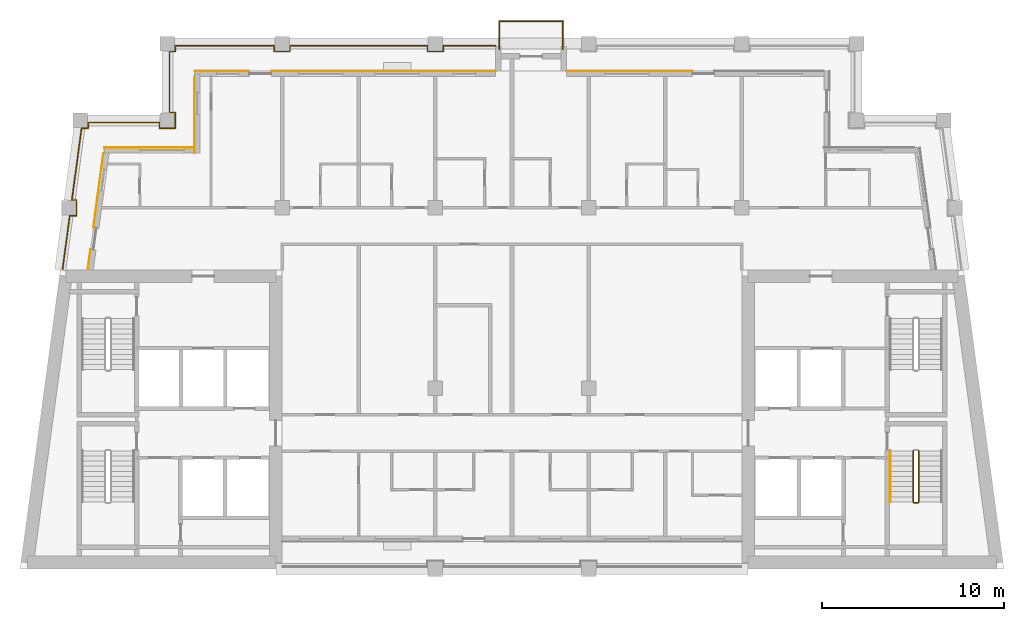
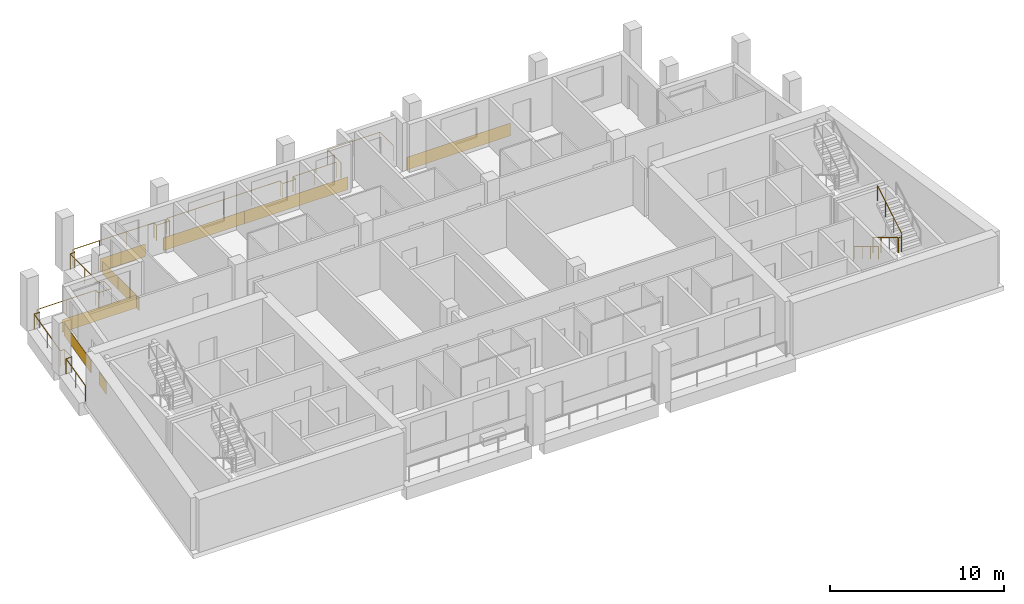
# One storey, part 8 of 10: 9 coverings, 5 railings.
"""IFC4 building model written with IfcOpenShell, lengths in metres."""

from ifc_helpers import new_model, si_unit, direction, frame, origin, origin_2d, place, context, subcontext, project, spatial, rectangle, circle, extrude, material, layer, layer_set, type_object, element, save


model = new_model("IFC4")

# Units and contexts
model_context = context("Model", 3, precision=1e-05, world=origin(), true_north=direction((0.0, 1.0)))
body_context = subcontext(model_context, "Body", "Model", "MODEL_VIEW")
ifc_project = project(units=[si_unit("LENGTHUNIT", "METRE"), si_unit("AREAUNIT", "SQUARE_METRE"), si_unit("VOLUMEUNIT", "CUBIC_METRE"), si_unit("PLANEANGLEUNIT", "RADIAN"), si_unit("MASSUNIT", "GRAM", prefix="KILO")], contexts=[model_context])

# Site, building, storey
site_placement = place(None, origin())
site = spatial("IfcSite", under=ifc_project, at=site_placement, CompositionType="ELEMENT")
building_placement = place(site_placement, origin())
building = spatial("IfcBuilding", under=site, at=building_placement, Name="Candeia Pilgrim Tower and Theatre", CompositionType="ELEMENT")
storey_placement = place(building_placement, frame((0.0, 0.0, 292.300048828125)))
storey = spatial("IfcBuildingStorey", under=building, at=storey_placement, Name="L71", CompositionType="ELEMENT", Elevation=292.300048828125)

# Railings
ifc_material_1 = material(Name="Stainless steel balustrade", Category="steel")
railing_type_1 = type_object("IfcRailingType", Name="G1 loggia guard 1100", PredefinedType="GUARDRAIL", material=ifc_material_1)
railing_1_placement = place(storey_placement, frame((94.070068359375, 140.47998046875, 0.0)))
element("IfcRailing", 1, at=railing_1_placement, inside=storey, type_object=railing_type_1, Name="Guard L71.1", PredefinedType="GUARDRAIL", context=body_context, shape_type="SweptSolid", body=[
    extrude(circle(Radius=0.02392578125, at=origin_2d()), frame((0.0, 0.0, 1.076171875), z_axis=(0.0, -1.0, 0.0), x_axis=(1.0, 0.0, 0.0)), (0.0, 0.0, 1.0), 0.31005859375),
    extrude(circle(Radius=0.02392578125, at=origin_2d()), frame((0.0, -0.31005859375, 1.076171875), z_axis=(1.0, 0.0, 0.0), x_axis=(0.0, 1.0, 0.0)), (0.0, 0.0, 1.0), 0.85986328125),
    extrude(circle(Radius=0.02392578125, at=origin_2d()), frame((0.85986328125, -0.31005859375, 1.076171875), z_axis=(0.0, 1.0, 0.0), x_axis=(-1.0, 0.0, 0.0)), (0.0, 0.0, 1.0), 0.860107421875),
    extrude(circle(Radius=0.02392578125, at=origin_2d()), frame((0.85986328125, 0.550048828125, 1.076171875), z_axis=(-1.0, 0.0, 0.0), x_axis=(0.0, -1.0, 0.0)), (0.0, 0.0, 1.0), 0.309814453125),
    extrude(circle(Radius=0.02392578125, at=origin_2d()), frame((0.550048828125, 0.550048828125, 1.076171875), z_axis=(0.0, 1.0, 0.0), x_axis=(-1.0, 0.0, 0.0)), (0.0, 0.0, 1.0), 3.340087890625),
    extrude(circle(Radius=0.02392578125, at=origin_2d()), frame((0.550048828125, 3.89013671875, 1.076171875), z_axis=(1.0, 0.0, 0.0), x_axis=(0.0, 1.0, 0.0)), (0.0, 0.0, 1.0), 0.309814453125),
    extrude(circle(Radius=0.02392578125, at=origin_2d()), frame((0.85986328125, 3.89013671875, 1.076171875), z_axis=(0.0, 1.0, 0.0), x_axis=(-1.0, 0.0, 0.0)), (0.0, 0.0, 1.0), 0.309814453125),
    extrude(circle(Radius=0.02392578125, at=origin_2d()), frame((0.85986328125, 4.199951171875, 1.076171875), z_axis=(1.0, 0.0, 0.0), x_axis=(0.0, 1.0, 0.0)), (0.0, 0.0, 1.0), 5.440185546875),
    extrude(circle(Radius=0.02392578125, at=origin_2d()), frame((6.300048828125, 4.199951171875, 1.076171875), z_axis=(0.0, -1.0, 0.0), x_axis=(1.0, 0.0, 0.0)), (0.0, 0.0, 1.0), 0.309814453125),
    extrude(circle(Radius=0.02392578125, at=origin_2d()), frame((6.300048828125, 3.89013671875, 1.076171875), z_axis=(1.0, 0.0, 0.0), x_axis=(0.0, 1.0, 0.0)), (0.0, 0.0, 1.0), 0.85986328125),
    extrude(circle(Radius=0.02392578125, at=origin_2d()), frame((7.159912109375, 3.89013671875, 1.076171875), z_axis=(0.0, 1.0, 0.0), x_axis=(-1.0, 0.0, 0.0)), (0.0, 0.0, 1.0), 0.309814453125),
    extrude(circle(Radius=0.02392578125, at=origin_2d()), frame((7.159912109375, 4.199951171875, 1.076171875), z_axis=(1.0, 0.0, 0.0), x_axis=(0.0, 1.0, 0.0)), (0.0, 0.0, 1.0), 7.5400390625),
    extrude(circle(Radius=0.02392578125, at=origin_2d()), frame((14.699951171875, 4.199951171875, 1.076171875), z_axis=(0.0, -1.0, 0.0), x_axis=(1.0, 0.0, 0.0)), (0.0, 0.0, 1.0), 0.309814453125),
    extrude(circle(Radius=0.02392578125, at=origin_2d()), frame((14.699951171875, 3.89013671875, 1.076171875), z_axis=(1.0, 0.0, 0.0), x_axis=(0.0, 1.0, 0.0)), (0.0, 0.0, 1.0), 0.85986328125),
    extrude(circle(Radius=0.02392578125, at=origin_2d()), frame((15.559814453125, 3.89013671875, 1.076171875), z_axis=(0.0, 1.0, 0.0), x_axis=(-1.0, 0.0, 0.0)), (0.0, 0.0, 1.0), 0.309814453125),
    extrude(circle(Radius=0.02392578125, at=origin_2d()), frame((15.559814453125, 4.199951171875, 1.076171875), z_axis=(1.0, 0.0, 0.0), x_axis=(0.0, 1.0, 0.0)), (0.0, 0.0, 1.0), 2.8701171875),
    extrude(circle(Radius=0.02099609375, at=origin_2d()), origin(), (0.0, 0.0, 1.0), 1.052001953125),
    extrude(circle(Radius=0.02099609375, at=origin_2d()), frame((0.0, -0.31005859375, 0.0)), (0.0, 0.0, 1.0), 1.052001953125),
    extrude(circle(Radius=0.02099609375, at=origin_2d()), frame((0.85986328125, -0.31005859375, 0.0)), (0.0, 0.0, 1.0), 1.052001953125),
    extrude(circle(Radius=0.02099609375, at=origin_2d()), frame((0.85986328125, 0.550048828125, 0.0)), (0.0, 0.0, 1.0), 1.052001953125),
    extrude(circle(Radius=0.02099609375, at=origin_2d()), frame((0.550048828125, 0.550048828125, 0.0)), (0.0, 0.0, 1.0), 1.052001953125),
    extrude(circle(Radius=0.02099609375, at=origin_2d()), frame((0.550048828125, 2.22021484375, 0.0)), (0.0, 0.0, 1.0), 1.052001953125),
    extrude(circle(Radius=0.02099609375, at=origin_2d()), frame((0.550048828125, 3.89013671875, 0.0)), (0.0, 0.0, 1.0), 1.052001953125),
    extrude(circle(Radius=0.02099609375, at=origin_2d()), frame((0.85986328125, 3.89013671875, 0.0)), (0.0, 0.0, 1.0), 1.052001953125),
    extrude(circle(Radius=0.02099609375, at=origin_2d()), frame((0.85986328125, 4.199951171875, 0.0)), (0.0, 0.0, 1.0), 1.052001953125),
    extrude(circle(Radius=0.02099609375, at=origin_2d()), frame((2.67333984375, 4.199951171875, 0.0)), (0.0, 0.0, 1.0), 1.052001953125),
    extrude(circle(Radius=0.02099609375, at=origin_2d()), frame((4.486572265625, 4.199951171875, 0.0)), (0.0, 0.0, 1.0), 1.052001953125),
    extrude(circle(Radius=0.02099609375, at=origin_2d()), frame((6.300048828125, 4.199951171875, 0.0)), (0.0, 0.0, 1.0), 1.052001953125),
    extrude(circle(Radius=0.02099609375, at=origin_2d()), frame((6.300048828125, 3.89013671875, 0.0)), (0.0, 0.0, 1.0), 1.052001953125),
    extrude(circle(Radius=0.02099609375, at=origin_2d()), frame((7.159912109375, 3.89013671875, 0.0)), (0.0, 0.0, 1.0), 1.052001953125),
    extrude(circle(Radius=0.02099609375, at=origin_2d()), frame((7.159912109375, 4.199951171875, 0.0)), (0.0, 0.0, 1.0), 1.052001953125),
    extrude(circle(Radius=0.02099609375, at=origin_2d()), frame((9.044921875, 4.199951171875, 0.0)), (0.0, 0.0, 1.0), 1.052001953125),
    extrude(circle(Radius=0.02099609375, at=origin_2d()), frame((10.929931640625, 4.199951171875, 0.0)), (0.0, 0.0, 1.0), 1.052001953125),
    extrude(circle(Radius=0.02099609375, at=origin_2d()), frame((12.81494140625, 4.199951171875, 0.0)), (0.0, 0.0, 1.0), 1.052001953125),
    extrude(circle(Radius=0.02099609375, at=origin_2d()), frame((14.699951171875, 4.199951171875, 0.0)), (0.0, 0.0, 1.0), 1.052001953125),
    extrude(circle(Radius=0.02099609375, at=origin_2d()), frame((14.699951171875, 3.89013671875, 0.0)), (0.0, 0.0, 1.0), 1.052001953125),
    extrude(circle(Radius=0.02099609375, at=origin_2d()), frame((15.559814453125, 3.89013671875, 0.0)), (0.0, 0.0, 1.0), 1.052001953125),
    extrude(circle(Radius=0.02099609375, at=origin_2d()), frame((15.559814453125, 4.199951171875, 0.0)), (0.0, 0.0, 1.0), 1.052001953125),
    extrude(circle(Radius=0.02099609375, at=origin_2d()), frame((16.994873046875, 4.199951171875, 0.0)), (0.0, 0.0, 1.0), 1.052001953125),
    extrude(circle(Radius=0.02099609375, at=origin_2d()), frame((18.429931640625, 4.199951171875, 0.0)), (0.0, 0.0, 1.0), 1.052001953125),
])
railing_2_placement = place(storey_placement, frame((88.758544921875, 132.449951171875, 0.0)))
element("IfcRailing", 2, at=railing_2_placement, inside=storey, type_object=railing_type_1, Name="Guard L71.4", PredefinedType="GUARDRAIL", context=body_context, shape_type="SweptSolid", body=[
    extrude(circle(Radius=0.02392578125, at=origin_2d()), frame((0.0, 0.0, 1.076171875), z_axis=(0.133401056725, 0.991062136329, 0.0), x_axis=(-0.991062136329, 0.133401056725, 0.0)), (0.0, 0.0, 1.0), 2.946533203125),
    extrude(circle(Radius=0.02392578125, at=origin_2d()), frame((0.39306640625, 2.920166015625, 1.076171875), z_axis=(1.0, 0.0, 0.0), x_axis=(0.0, 1.0, 0.0)), (0.0, 0.0, 1.0), 0.366943359375),
    extrude(circle(Radius=0.02392578125, at=origin_2d()), frame((0.760009765625, 2.920166015625, 1.076171875), z_axis=(0.0, 1.0, 0.0), x_axis=(-1.0, 0.0, 0.0)), (0.0, 0.0, 1.0), 0.85986328125),
    extrude(circle(Radius=0.02392578125, at=origin_2d()), frame((0.760009765625, 3.780029296875, 1.076171875), z_axis=(-1.0, 0.0, 0.0), x_axis=(0.0, -1.0, 0.0)), (0.0, 0.0, 1.0), 0.251220703125),
    extrude(circle(Radius=0.02392578125, at=origin_2d()), frame((0.5087890625, 3.780029296875, 1.076171875), z_axis=(0.133446811067, 0.99105597653, 0.0), x_axis=(-0.99105597653, 0.133446811067, 0.0)), (0.0, 0.0, 1.0), 3.9755859375),
    extrude(circle(Radius=0.02392578125, at=origin_2d()), frame((1.039306640625, 7.719970703125, 1.076171875), z_axis=(1.0, 0.0, 0.0), x_axis=(0.0, 1.0, 0.0)), (0.0, 0.0, 1.0), 0.36669921875),
    extrude(circle(Radius=0.02392578125, at=origin_2d()), frame((1.406005859375, 7.719970703125, 1.076171875), z_axis=(0.0, 1.0, 0.0), x_axis=(-1.0, 0.0, 0.0)), (0.0, 0.0, 1.0), 0.31005859375),
    extrude(circle(Radius=0.02392578125, at=origin_2d()), frame((1.406005859375, 8.030029296875, 1.076171875), z_axis=(1.0, 0.0, 0.0), x_axis=(0.0, 1.0, 0.0)), (0.0, 0.0, 1.0), 3.905517578125),
    extrude(circle(Radius=0.02099609375, at=origin_2d()), origin(), (0.0, 0.0, 1.0), 1.052001953125),
    extrude(circle(Radius=0.02099609375, at=origin_2d()), frame((0.196533203125, 1.4599609375, 0.0)), (0.0, 0.0, 1.0), 1.052001953125),
    extrude(circle(Radius=0.02099609375, at=origin_2d()), frame((0.39306640625, 2.920166015625, 0.0)), (0.0, 0.0, 1.0), 1.052001953125),
    extrude(circle(Radius=0.02099609375, at=origin_2d()), frame((0.760009765625, 2.920166015625, 0.0)), (0.0, 0.0, 1.0), 1.052001953125),
    extrude(circle(Radius=0.02099609375, at=origin_2d()), frame((0.760009765625, 3.780029296875, 0.0)), (0.0, 0.0, 1.0), 1.052001953125),
    extrude(circle(Radius=0.02099609375, at=origin_2d()), frame((0.5087890625, 3.780029296875, 0.0)), (0.0, 0.0, 1.0), 1.052001953125),
    extrude(circle(Radius=0.02099609375, at=origin_2d()), frame((0.77392578125, 5.75, 0.0)), (0.0, 0.0, 1.0), 1.052001953125),
    extrude(circle(Radius=0.02099609375, at=origin_2d()), frame((1.039306640625, 7.719970703125, 0.0)), (0.0, 0.0, 1.0), 1.052001953125),
    extrude(circle(Radius=0.02099609375, at=origin_2d()), frame((1.406005859375, 7.719970703125, 0.0)), (0.0, 0.0, 1.0), 1.052001953125),
    extrude(circle(Radius=0.02099609375, at=origin_2d()), frame((1.406005859375, 8.030029296875, 0.0)), (0.0, 0.0, 1.0), 1.052001953125),
    extrude(circle(Radius=0.02099609375, at=origin_2d()), frame((3.35888671875, 8.030029296875, 0.0)), (0.0, 0.0, 1.0), 1.052001953125),
    extrude(circle(Radius=0.02099609375, at=origin_2d()), frame((5.3115234375, 8.030029296875, 0.0)), (0.0, 0.0, 1.0), 1.052001953125),
])
railing_3_placement = place(storey_placement, frame((112.7099609375, 144.5, 0.0)))
element("IfcRailing", 3, at=railing_3_placement, inside=storey, type_object=railing_type_1, Name="Balcony guard L71", PredefinedType="GUARDRAIL", context=body_context, shape_type="SweptSolid", body=[
    extrude(circle(Radius=0.02392578125, at=origin_2d()), frame((0.0, 0.0, 1.076171875), z_axis=(0.0, 1.0, 0.0), x_axis=(-1.0, 0.0, 0.0)), (0.0, 0.0, 1.0), 1.5400390625),
    extrude(circle(Radius=0.02392578125, at=origin_2d()), frame((0.0, 1.5400390625, 1.076171875), z_axis=(1.0, 0.0, 0.0), x_axis=(0.0, 1.0, 0.0)), (0.0, 0.0, 1.0), 3.47998046875),
    extrude(circle(Radius=0.02392578125, at=origin_2d()), frame((3.47998046875, 1.5400390625, 1.076171875), z_axis=(0.0, -1.0, 0.0), x_axis=(1.0, 0.0, 0.0)), (0.0, 0.0, 1.0), 1.5400390625),
    extrude(circle(Radius=0.02099609375, at=origin_2d()), origin(), (0.0, 0.0, 1.0), 1.052001953125),
    extrude(circle(Radius=0.02099609375, at=origin_2d()), frame((0.0, 1.5400390625, 0.0)), (0.0, 0.0, 1.0), 1.052001953125),
    extrude(circle(Radius=0.02099609375, at=origin_2d()), frame((1.739990234375, 1.5400390625, 0.0)), (0.0, 0.0, 1.0), 1.052001953125),
    extrude(circle(Radius=0.02099609375, at=origin_2d()), frame((3.47998046875, 1.5400390625, 0.0)), (0.0, 0.0, 1.0), 1.052001953125),
    extrude(circle(Radius=0.02099609375, at=origin_2d()), frame((3.47998046875, 0.0, 0.0)), (0.0, 0.0, 1.0), 1.052001953125),
])

# Coverings
ifc_material_2 = material(Name="Glazed ceramic tile bottle green")
ifc_layer_1 = layer(ifc_material_2, 0.02001953125)
ifc_layer_set_1 = layer_set([ifc_layer_1], Name="Glazed ceramic tile bottle green")
covering_type_1 = type_object("IfcCoveringType", Name="Glazed ceramic tile bottle green", PredefinedType="CLADDING", material=ifc_layer_set_1)
covering_1_placement = place(storey_placement, frame((102.89990234375, 143.31005859375, 0.0), z_axis=(0.0, 0.0, 1.0), x_axis=(-1.0, 0.0, 0.0)))
element("IfcCovering", 4, at=covering_1_placement, inside=storey, type_object=covering_type_1, Name="Tile cladding bottle green L71", PredefinedType="CLADDING", context=body_context, shape_type="SweptSolid", body=[
    extrude(rectangle(XDim=5.39990234375, YDim=0.02001953125, at=origin_2d()), origin(), (0.0, 0.0, 1.0), 0.89990234375),
])
covering_2_placement = place(storey_placement, frame((97.5, 143.31005859375, 0.0), z_axis=(0.0, 0.0, 1.0), x_axis=(-1.0, 0.0, 0.0)))
element("IfcCovering", 5, at=covering_2_placement, inside=storey, type_object=covering_type_1, Name="Tile cladding bottle green L71", PredefinedType="CLADDING", context=body_context, shape_type="SweptSolid", body=[
    extrude(rectangle(XDim=3.0, YDim=0.02001953125, at=origin_2d()), origin(), (0.0, 0.0, 1.0), 0.89990234375),
])
covering_3_placement = place(storey_placement, frame((95.989990234375, 142.090087890625, 0.0), z_axis=(0.0, 0.0, 1.0), x_axis=(0.0, -1.0, 0.0)))
element("IfcCovering", 6, at=covering_3_placement, inside=storey, type_object=covering_type_1, Name="Tile cladding bottle green L71", PredefinedType="CLADDING", context=body_context, shape_type="SweptSolid", body=[
    extrude(rectangle(XDim=1.780029296875, YDim=0.02001953125, at=origin_2d()), origin(), (0.0, 0.0, 1.0), 0.89990234375),
])
covering_4_placement = place(storey_placement, frame((93.51318359375, 139.110107421875, 0.0), z_axis=(0.0, 0.0, 1.0), x_axis=(-1.0, 0.0, 0.0)))
element("IfcCovering", 7, at=covering_4_placement, inside=storey, type_object=covering_type_1, Name="Tile cladding bottle green L71", PredefinedType="CLADDING", context=body_context, shape_type="SweptSolid", body=[
    extrude(rectangle(XDim=4.933837890625, YDim=0.02001953125, at=origin_2d()), origin(), (0.0, 0.0, 1.0), 0.89990234375),
])
ifc_material_3 = material(Name="Glazed ceramic tile rust")
ifc_layer_2 = layer(ifc_material_3, 0.02001953125)
ifc_layer_set_2 = layer_set([ifc_layer_2], Name="Glazed ceramic tile rust")
covering_type_2 = type_object("IfcCoveringType", Name="Glazed ceramic tile rust", PredefinedType="CLADDING", material=ifc_layer_set_2)
covering_5_placement = place(storey_placement, frame((90.720947265625, 136.759521484375, 0.0), z_axis=(0.0, 0.0, 1.0), x_axis=(-0.133412012145, -0.991060661622, 0.0)))
element("IfcCovering", 8, at=covering_5_placement, inside=storey, type_object=covering_type_2, Name="Tile cladding rust L71", PredefinedType="CLADDING", context=body_context, shape_type="SweptSolid", body=[
    extrude(rectangle(XDim=4.123779296875, YDim=0.02001953125, at=origin_2d()), origin(), (0.0, 0.0, 1.0), 0.89990234375),
])
covering_6_placement = place(storey_placement, frame((90.21142578125, 132.97412109375, 0.0), z_axis=(0.0, 0.0, 1.0), x_axis=(-0.133412012145, -0.991060661622, 0.0)))
element("IfcCovering", 9, at=covering_6_placement, inside=storey, type_object=covering_type_2, Name="Tile cladding rust L71", PredefinedType="CLADDING", context=body_context, shape_type="SweptSolid", body=[
    extrude(rectangle(XDim=1.115234375, YDim=0.02001953125, at=origin_2d()), origin(), (0.0, 0.0, 1.0), 0.89990234375),
])
for number, where, z_axis, x_axis, name in (
    (10, (119.85009765625, 143.31005859375, 0.0), (0.0, 0.0, 1.0), (-1.0, 0.0, 0.0), "Tile cladding rust L71"),
    (11, (109.050048828125, 143.31005859375, 0.0), (0.0, 0.0, 1.0), (-1.0, 0.0, 0.0), "Tile cladding rust L71"),
):
    element("IfcCovering", number, at=place(storey_placement, frame(where, z_axis=z_axis, x_axis=x_axis)), inside=storey, type_object=covering_type_2, Name=name, PredefinedType="CLADDING", context=body_context, shape_type="SweptSolid", body=[
        extrude(rectangle(XDim=6.89990234375, YDim=0.02001953125, at=origin_2d()), origin(), (0.0, 0.0, 1.0), 0.89990234375),
    ])
covering_7_placement = place(storey_placement, frame((95.989990234375, 140.0, 0.0), z_axis=(0.0, 0.0, 1.0), x_axis=(0.0, -1.0, 0.0)))
element("IfcCovering", 12, at=covering_7_placement, inside=storey, type_object=covering_type_2, Name="Tile cladding rust L71", PredefinedType="CLADDING", context=body_context, shape_type="SweptSolid", body=[
    extrude(rectangle(XDim=2.39990234375, YDim=0.02001953125, at=origin_2d()), origin(), (0.0, 0.0, 1.0), 0.89990234375),
])

# Railings
railing_type_2 = type_object("IfcRailingType", Name="RL-GUARD-1100", PredefinedType="GUARDRAIL", material=ifc_material_1)
railing_4_placement = place(storey_placement, frame((135.39794921875, 122.47509765625, 0.168212890625)))
element("IfcRailing", 13, at=railing_4_placement, inside=storey, type_object=railing_type_2, Name="L71 ST3 stair guard 1", PredefinedType="GUARDRAIL", context=body_context, shape_type="SweptSolid", body=[
    extrude(circle(Radius=0.02392578125, at=origin_2d()), frame((0.0, 0.0, 1.076171875), z_axis=(0.0, -0.857275202839, 0.514858452973), x_axis=(1.0, 0.0, 0.0)), (0.0, 0.0, 1.0), 3.26611328125),
    extrude(circle(Radius=0.02392578125, at=origin_2d()), frame((0.0, -2.800048828125, 2.7578125), z_axis=(0.707106781187, -0.707106781187, 0.0), x_axis=(0.707106781187, 0.707106781187, 0.0)), (0.0, 0.0, 1.0), 0.07080078125),
    extrude(circle(Radius=0.02392578125, at=origin_2d()), frame((0.050048828125, -2.85009765625, 2.7578125), z_axis=(1.0, 0.0, 0.0), x_axis=(0.0, 1.0, 0.0)), (0.0, 0.0, 1.0), 0.199951171875),
    extrude(circle(Radius=0.02392578125, at=origin_2d()), frame((0.25, -2.85009765625, 2.7578125), z_axis=(0.274243871929, 0.274243871929, 0.92172696468), x_axis=(-0.707106781187, 0.707106781187, 0.0)), (0.0, 0.0, 1.0), 0.1826171875),
    extrude(circle(Radius=0.02392578125, at=origin_2d()), frame((0.300048828125, -2.800048828125, 2.92578125), z_axis=(0.0, 0.857242210791, 0.514913383045), x_axis=(-1.0, 0.0, 0.0)), (0.0, 0.0, 1.0), 3.266357421875),
    extrude(circle(Radius=0.02099609375, at=origin_2d()), origin(), (0.0, 0.0, 1.0), 1.052001953125),
    extrude(circle(Radius=0.02099609375, at=origin_2d()), frame((0.0, -0.933349609375, 0.560546875)), (0.0, 0.0, 1.0), 1.052001953125),
    extrude(circle(Radius=0.02099609375, at=origin_2d()), frame((0.0, -1.86669921875, 1.12109375)), (0.0, 0.0, 1.0), 1.052001953125),
    extrude(circle(Radius=0.02099609375, at=origin_2d()), frame((0.0, -2.800048828125, 1.681640625)), (0.0, 0.0, 1.0), 1.052001953125),
    extrude(circle(Radius=0.02099609375, at=origin_2d()), frame((0.050048828125, -2.85009765625, 1.681640625)), (0.0, 0.0, 1.0), 1.052001953125),
    extrude(circle(Radius=0.02099609375, at=origin_2d()), frame((0.25, -2.85009765625, 1.681640625)), (0.0, 0.0, 1.0), 1.052001953125),
    extrude(circle(Radius=0.02099609375, at=origin_2d()), frame((0.300048828125, -2.800048828125, 1.849853515625)), (0.0, 0.0, 1.0), 1.052001953125),
    extrude(circle(Radius=0.02099609375, at=origin_2d()), frame((0.300048828125, -1.86669921875, 2.410400390625)), (0.0, 0.0, 1.0), 1.052001953125),
    extrude(circle(Radius=0.02099609375, at=origin_2d()), frame((0.300048828125, -0.933349609375, 2.97119140625)), (0.0, 0.0, 1.0), 1.052001953125),
    extrude(circle(Radius=0.02099609375, at=origin_2d()), frame((0.300048828125, 0.0, 3.53173828125)), (0.0, 0.0, 1.0), 1.052001953125),
])
ifc_material_4 = material(Name="Stainless steel handrail", Category="steel")
railing_type_3 = type_object("IfcRailingType", Name="RL-HANDRAIL-900", PredefinedType="HANDRAIL", material=ifc_material_4)
railing_5_placement = place(storey_placement, frame((134.14794921875, 122.47509765625, 0.168212890625)))
element("IfcRailing", 14, at=railing_5_placement, inside=storey, type_object=railing_type_3, Name="L71 ST3 stair handrail 1", PredefinedType="HANDRAIL", context=body_context, shape_type="SweptSolid", body=[
    extrude(circle(Radius=0.02392578125, at=origin_2d()), frame((0.0, 0.0, 0.8759765625), z_axis=(0.0, -0.857275202839, 0.514858452973), x_axis=(1.0, 0.0, 0.0)), (0.0, 0.0, 1.0), 3.26611328125),
    extrude(circle(Radius=0.02099609375, at=origin_2d()), origin(), (0.0, 0.0, 1.0), 0.851806640625),
    extrude(circle(Radius=0.02099609375, at=origin_2d()), frame((0.0, -0.933349609375, 0.560546875)), (0.0, 0.0, 1.0), 0.851806640625),
    extrude(circle(Radius=0.02099609375, at=origin_2d()), frame((0.0, -1.86669921875, 1.12109375)), (0.0, 0.0, 1.0), 0.851806640625),
    extrude(circle(Radius=0.02099609375, at=origin_2d()), frame((0.0, -2.800048828125, 1.681640625)), (0.0, 0.0, 1.0), 0.851806640625),
])

save(model, "model.ifc")
